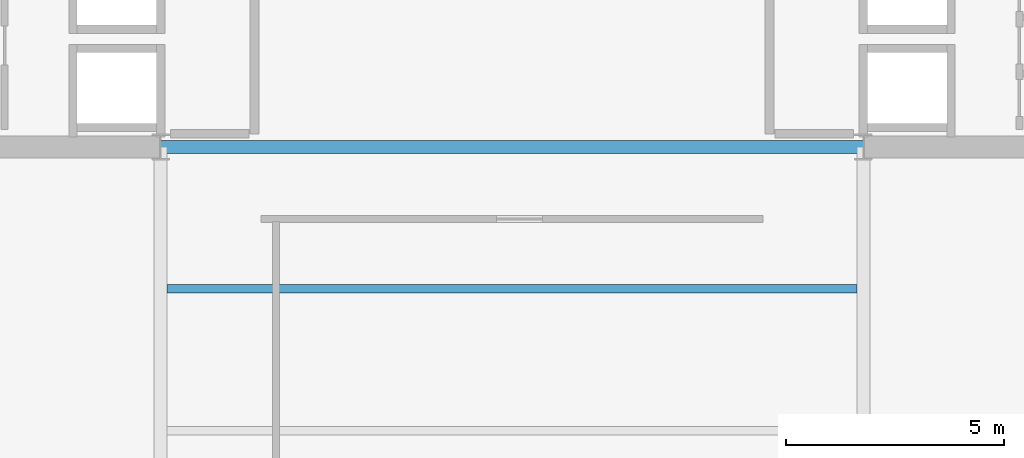
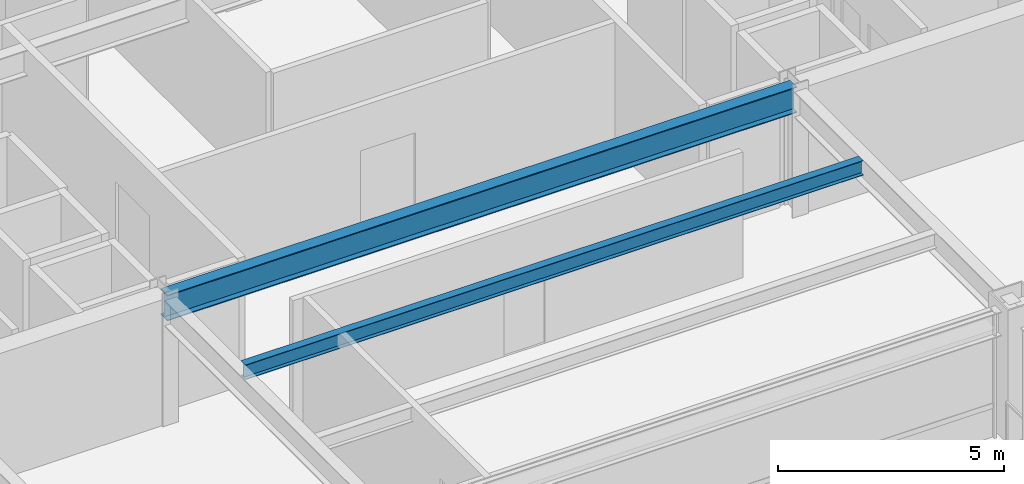
# One storey, part 8 of 31: 2 beams.
"""IFC4 building model written with IfcOpenShell, lengths in metres."""

from ifc_helpers import new_model, si_unit, direction, frame, origin, origin_2d, place, context, subcontext, project, spatial, i_section, extrude, material, material_profile, profile_set, type_object, element, save


model = new_model("IFC4")

# Units and contexts
model_context = context("Model", 3, precision=1e-05, world=origin(), true_north=direction((0.0, 1.0)))
body_context = subcontext(model_context, "Body", "Model", "MODEL_VIEW")
ifc_project = project(units=[si_unit("LENGTHUNIT", "METRE"), si_unit("AREAUNIT", "SQUARE_METRE"), si_unit("VOLUMEUNIT", "CUBIC_METRE"), si_unit("PLANEANGLEUNIT", "RADIAN"), si_unit("MASSUNIT", "GRAM", prefix="KILO")], contexts=[model_context])

# Site, building, storey
site_placement = place(None, origin())
site = spatial("IfcSite", under=ifc_project, at=site_placement, CompositionType="ELEMENT")
building_placement = place(site_placement, origin())
building = spatial("IfcBuilding", under=site, at=building_placement, Name="Brelmoor Portico Tower", CompositionType="ELEMENT")
storey_placement = place(building_placement, frame((0.0, 0.0, 106.199951171875)))
storey = spatial("IfcBuildingStorey", under=building, at=storey_placement, Name="L27", CompositionType="ELEMENT", Elevation=106.199951171875)

# Beams
ifc_material = material(Name="Steel Q355B", Category="steel")
ifc_material_profile_1 = material_profile(ifc_material, i_section(OverallWidth=0.199951171875, OverallDepth=0.39990234375, WebThickness=0.008056640625, FlangeThickness=0.012939453125, at=origin_2d()), Name="HN 400x200x8x13")
ifc_profile_set_1 = profile_set([ifc_material_profile_1], Name="Steel Q355B")
beam_type_1 = type_object("IfcBeamType", Name="BM-JS-400", PredefinedType="JOIST", material=ifc_profile_set_1)
beam_1_placement = place(storey_placement, frame((-7.89990234375, -13.0, 3.199951171875), z_axis=(1.0, 0.0, 0.0), x_axis=(0.0, 1.0, 0.0)))
element("IfcBeam", 1, at=beam_1_placement, inside=storey, type_object=beam_type_1, Name="L27 Secondary Composite Joist JS-C02", PredefinedType="JOIST", context=body_context, shape_type="SweptSolid", body=[
    extrude(i_section(OverallWidth=0.199951171875, OverallDepth=0.39990234375, WebThickness=0.008056640625, FlangeThickness=0.012939453125, at=origin_2d()), origin(), (0.0, 0.0, 1.0), 15.7998046875),
])
ifc_material_profile_2 = material_profile(ifc_material, i_section(OverallWidth=0.300048828125, OverallDepth=0.699951171875, WebThickness=0.012939453125, FlangeThickness=0.02392578125, at=origin_2d()), Name="HN 700x300x13x24")
ifc_profile_set_2 = profile_set([ifc_material_profile_2], Name="Steel Q355B")
beam_type_2 = type_object("IfcBeamType", Name="BM-PG-700", PredefinedType="BEAM", material=ifc_profile_set_2)
beam_2_placement = place(storey_placement, frame((-8.050048828125, -9.75, 3.050048828125), z_axis=(1.0, 0.0, 0.0), x_axis=(0.0, 1.0, 0.0)))
element("IfcBeam", 2, at=beam_2_placement, inside=storey, type_object=beam_type_2, Name="L27 Primary Floor Girder PG-16", PredefinedType="BEAM", context=body_context, shape_type="SweptSolid", body=[
    extrude(i_section(OverallWidth=0.300048828125, OverallDepth=0.699951171875, WebThickness=0.012939453125, FlangeThickness=0.02392578125, at=origin_2d()), origin(), (0.0, 0.0, 1.0), 16.10009765625),
])

save(model, "model.ifc")
